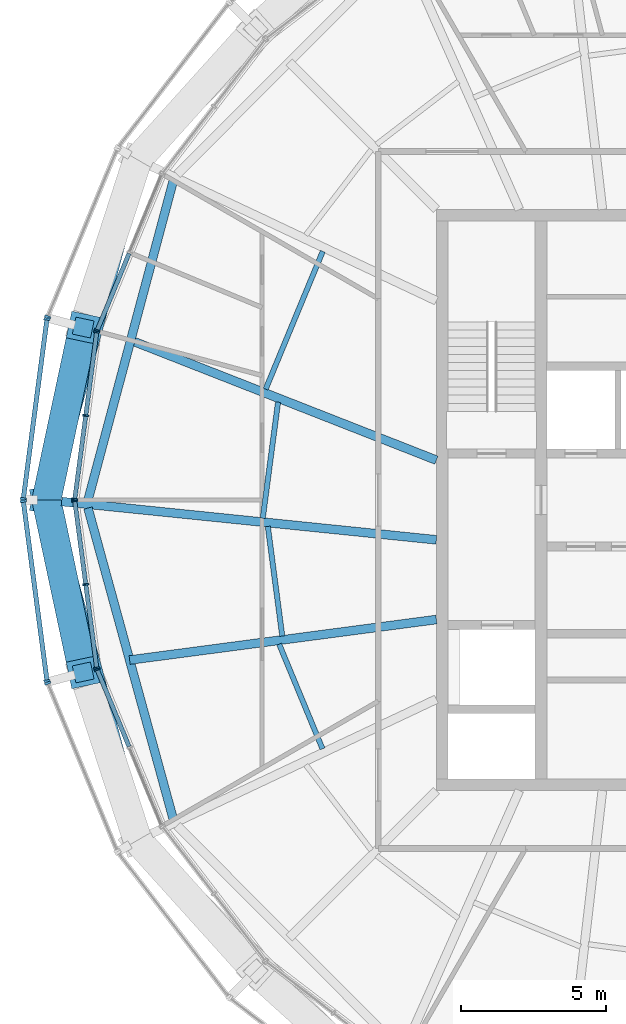
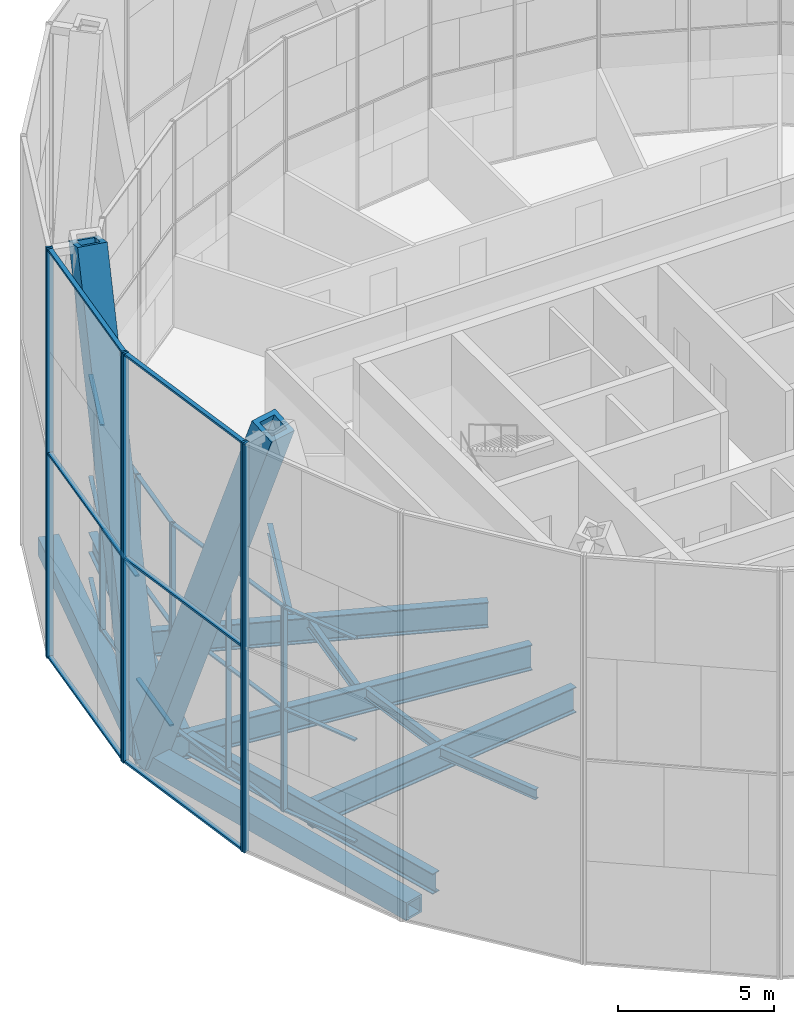
# One storey, part 3 of 22: 40 members, 11 beams, 8 elements without a shape of their own.
"""IFC4 building model written with IfcOpenShell, lengths in metres."""

import ifcopenshell
import ifcopenshell.guid

model = None  # the IFC model being written
_history = None  # IfcOwnerHistory: only IFC2X3 demands one
_inside = {}  # id of a spatial element -> (the spatial element, [elements in it])
_under = {}  # id of a project, library or spatial element -> (it, [spatial elements below it])
_declared = {}  # id of a project -> (the project, [libraries it declares])
_typed = {}  # id of a type object -> (the type object, [elements of that type])
_made_of = {}  # id of a material, layer set ... -> (it, [elements and type objects made of it])


def new_model(schema):
    """Start an empty IFC model of exactly this schema.

    Asked for "IFC4X3", IfcOpenShell would pick the latest addendum, in which some entities
    have other attributes; the version numbers below select the first issue.
    IFC2X3 requires an IfcOwnerHistory on every rooted entity: one is made here for all.
    """
    global model, _history
    if schema == "IFC4X3":
        model = ifcopenshell.file(schema_version=(4, 3, 0, 0))
    else:
        model = ifcopenshell.file(schema=schema)
    _inside.clear()
    _under.clear()
    _declared.clear()
    _typed.clear()
    _made_of.clear()
    _history = None
    if model.schema == "IFC2X3":
        org = make("IfcOrganization", Name="unknown")
        user = make(
            "IfcPersonAndOrganization",
            ThePerson=make("IfcPerson", FamilyName="unknown"),
            TheOrganization=org,
        )
        app = make(
            "IfcApplication",
            ApplicationDeveloper=org,
            Version="unknown",
            ApplicationFullName="unknown",
            ApplicationIdentifier="unknown",
        )
        _history = make(
            "IfcOwnerHistory",
            OwningUser=user,
            OwningApplication=app,
            ChangeAction="ADDED",
            CreationDate=0,
        )
    return model


def make(cls, **values):
    """One entity of the class cls with the attributes given. An attribute that is None is left unset."""
    return model.create_entity(
        cls, **{name: value for name, value in values.items() if value is not None}
    )


def rooted(cls, **values):
    """An entity with a GlobalId (a new one), such as an element, a storey or a relation."""
    return make(cls, GlobalId=ifcopenshell.guid.new(), OwnerHistory=_history, **values)


def si_unit(unit_type, name, prefix=None):
    """IfcSIUnit, for example si_unit("LENGTHUNIT", "METRE", prefix="MILLI")."""
    return make("IfcSIUnit", UnitType=unit_type, Prefix=prefix, Name=name)


def assignment(units):
    """IfcUnitAssignment: the units of a project."""
    return None if units is None else make("IfcUnitAssignment", Units=units)


def point(xyz):
    """IfcCartesianPoint."""
    return None if xyz is None else make("IfcCartesianPoint", Coordinates=xyz)


def direction(xyz):
    """IfcDirection."""
    return None if xyz is None else make("IfcDirection", DirectionRatios=xyz)


def frame(location, z_axis=None, x_axis=None):
    """IfcAxis2Placement3D, a coordinate frame: its origin and axes. An axis left out is left unset."""
    return make(
        "IfcAxis2Placement3D",
        Location=point(location),
        Axis=direction(z_axis),
        RefDirection=direction(x_axis),
    )


def frame_2d(location, x_axis=None):
    """IfcAxis2Placement2D, a coordinate frame in the plane: its origin and x axis."""
    return make(
        "IfcAxis2Placement2D", Location=point(location), RefDirection=direction(x_axis)
    )


def origin():
    """The frame at (0, 0, 0) with its axes left unset."""
    return frame((0.0, 0.0, 0.0))


def origin_2d():
    """The frame at (0, 0) in the plane with its x axis left unset."""
    return frame_2d((0.0, 0.0))


def place(relative_to, where):
    """IfcLocalPlacement: puts the frame where relative to a parent placement (None: the world)."""
    return make(
        "IfcLocalPlacement", PlacementRelTo=relative_to, RelativePlacement=where
    )


def context(
    kind, dimensions, precision=None, world=None, true_north=None, identifier=None
):
    """IfcGeometricRepresentationContext, for example the 3D "Model" context."""
    return make(
        "IfcGeometricRepresentationContext",
        ContextIdentifier=identifier,
        ContextType=kind,
        CoordinateSpaceDimension=dimensions,
        Precision=precision,
        WorldCoordinateSystem=world,
        TrueNorth=true_north,
    )


def subcontext(parent, identifier, kind, view, scale=None):
    """IfcGeometricRepresentationSubContext, for example "Body" below "Model"."""
    return make(
        "IfcGeometricRepresentationSubContext",
        ContextIdentifier=identifier,
        ContextType=kind,
        ParentContext=parent,
        TargetScale=scale,
        TargetView=view,
    )


def project(units=None, contexts=None):
    """IfcProject with its units and contexts."""
    return rooted(
        "IfcProject",
        Name="project",
        RepresentationContexts=contexts,
        UnitsInContext=assignment(units),
    )


def spatial(cls, under=None, at=None, **own):
    """A site, building, storey or space (cls), placed at a placement, below another one or the project."""
    s = rooted(cls, ObjectPlacement=at, **own)
    if under is not None:
        _under.setdefault(under.id(), (under, []))[1].append(s)
    return s


def profile(cls, at=None, kind="AREA", **sizes):
    """A parametric profile (cls). Its sizes go by their IFC names, for example OverallWidth=200.0."""
    return make(cls, ProfileType=kind, Position=at, **sizes)


def rectangle(**sizes):
    """IfcRectangleProfileDef."""
    return profile("IfcRectangleProfileDef", **sizes)


def hollow_rectangle(**sizes):
    """IfcRectangleHollowProfileDef."""
    return profile("IfcRectangleHollowProfileDef", **sizes)


def i_section(**sizes):
    """IfcIShapeProfileDef."""
    return profile("IfcIShapeProfileDef", **sizes)


def extrude(swept, where, along, depth):
    """IfcExtrudedAreaSolid: the profile swept, set in the frame where, extruded along a direction by depth."""
    return make(
        "IfcExtrudedAreaSolid",
        SweptArea=swept,
        Position=where,
        ExtrudedDirection=direction(along),
        Depth=depth,
    )


def shape(context_of_items, identifier, shape_type, items):
    """IfcShapeRepresentation: the items that make up one representation, for example the "Body"."""
    return make(
        "IfcShapeRepresentation",
        ContextOfItems=context_of_items,
        RepresentationIdentifier=identifier,
        RepresentationType=shape_type,
        Items=items,
    )


def material(Name=None, Category=None):
    """IfcMaterial."""
    return make("IfcMaterial", Name=Name, Category=Category)


def material_profile(
    of_material, cross_section, Name=None, Category=None, Priority=None
):
    """IfcMaterialProfile: a cross section and its material."""
    return make(
        "IfcMaterialProfile",
        Name=Name,
        Material=of_material,
        Profile=cross_section,
        Priority=Priority,
        Category=Category,
    )


def profile_set(profiles, Name=None, composite=None):
    """IfcMaterialProfileSet."""
    return make(
        "IfcMaterialProfileSet",
        Name=Name,
        MaterialProfiles=profiles,
        CompositeProfile=composite,
    )


def made_of(thing, what):
    """Note that an element or type object is made of a material, layer set ...; save() writes the relation."""
    if what is not None:
        _made_of.setdefault(what.id(), (what, []))[1].append(thing)
    return thing


def type_object(cls, material=None, **own):
    """A type object (cls), such as IfcWallType, which elements share."""
    return made_of(rooted(cls, **own), material)


def element(
    cls,
    number,
    at=None,
    inside=None,
    cuts=None,
    type_object=None,
    material=None,
    context=None,
    identifier="Body",
    shape_type=None,
    held_by="IfcProductDefinitionShape",
    body=None,
    shapes=None,
    **own,
):
    """One element of the class cls, such as IfcWall. Its Tag is "e" and its number.

    at: its placement. inside: the storey or other place that contains it. cuts: it is an
    opening in that element (IfcRelVoidsElement). A single representation is given by context,
    identifier, shape_type and body (its items); several are given by shapes. held_by: the class
    of the entity that holds the representations. save() writes the other relations.
    """
    e = rooted(cls, Tag="e%d" % number, ObjectPlacement=at, **own)
    if body is not None:
        shapes = [shape(context, identifier, shape_type, body)]
    if shapes is not None:
        e.Representation = make(held_by, Representations=shapes)
    if inside is not None:
        _inside.setdefault(inside.id(), (inside, []))[1].append(e)
    if cuts is not None:
        rooted(
            "IfcRelVoidsElement", RelatingBuildingElement=cuts, RelatedOpeningElement=e
        )
    if type_object is not None:
        _typed.setdefault(type_object.id(), (type_object, []))[1].append(e)
    return made_of(e, material)


def aggregate(whole, parts):
    """IfcRelAggregates: a whole, such as a stair, and the parts it consists of."""
    return rooted("IfcRelAggregates", RelatingObject=whole, RelatedObjects=parts)


def save(model, path):
    """Write the relations noted so far, then the file.

    IfcRelAggregates (storeys below a building ...), IfcRelContainedInSpatialStructure (elements
    in a storey), IfcRelDefinesByType, IfcRelAssociatesMaterial and IfcRelDeclares: one each for
    every whole, place, type object, material and project.
    """
    for whole, parts in _under.values():
        aggregate(whole, parts)
    for where, things in _inside.values():
        rooted(
            "IfcRelContainedInSpatialStructure",
            RelatedElements=things,
            RelatingStructure=where,
        )
    for kind, things in _typed.values():
        rooted("IfcRelDefinesByType", RelatedObjects=things, RelatingType=kind)
    for what, things in _made_of.values():
        rooted("IfcRelAssociatesMaterial", RelatedObjects=things, RelatingMaterial=what)
    for by, libraries in _declared.values():
        rooted("IfcRelDeclares", RelatingContext=by, RelatedDefinitions=libraries)
    model.write(path)


model = new_model("IFC4")

# Units and contexts
model_context = context("Model", 3, precision=1e-05, world=origin(), true_north=direction((0.0, 1.0)))
body_context = subcontext(model_context, "Body", "Model", "MODEL_VIEW")
ifc_project = project(units=[si_unit("LENGTHUNIT", "METRE"), si_unit("AREAUNIT", "SQUARE_METRE"), si_unit("VOLUMEUNIT", "CUBIC_METRE"), si_unit("PLANEANGLEUNIT", "RADIAN"), si_unit("MASSUNIT", "GRAM", prefix="KILO")], contexts=[model_context])

# Site, building, storey
site_placement = place(None, origin())
site = spatial("IfcSite", under=ifc_project, at=site_placement, CompositionType="ELEMENT")
building_placement = place(site_placement, origin())
building = spatial("IfcBuilding", under=site, at=building_placement, Name="Golbaran Civic Tower", CompositionType="ELEMENT")
storey_placement = place(building_placement, frame((0.0, 0.0, 248.0)))
storey = spatial("IfcBuildingStorey", under=building, at=storey_placement, Name="L60", CompositionType="ELEMENT", Elevation=248.0)

# Members
ifc_material_1 = material(Name="Steel S355", Category="steel")
ifc_material_profile_1 = material_profile(ifc_material_1, hollow_rectangle(XDim=1.0, YDim=1.0, WallThickness=0.179931640625, at=origin_2d()), Name="BOX 1000x1000x180")
ifc_profile_set_1 = profile_set([ifc_material_profile_1], Name="Steel S355")
member_type_1 = type_object("IfcMemberType", Name="DIAGRID DIAGONAL BOX 1000x1000x180", PredefinedType="BRACE", material=ifc_profile_set_1)
for number, where, z_axis, x_axis, name in (
    (1, (-23.423095703125, 0.0, -0.7099609375), (0.07401466611, -0.346918780994, 0.934970153852), (0.977989772584, 0.208652833004, 0.0), "Diagonal D14-06R L60-L64"),
    (2, (-23.423095703125, 0.0, -0.7099609375), (0.07401466611, 0.346918780994, 0.934970153852), (-0.977989772584, 0.208652833004, 0.0), "Diagonal D14-06L L60-L64"),
):
    element("IfcMember", number, at=place(storey_placement, frame(where, z_axis=z_axis, x_axis=x_axis)), inside=storey, type_object=member_type_1, Name=name, PredefinedType="BRACE", context=body_context, shape_type="SweptSolid", body=[
        extrude(hollow_rectangle(XDim=1.0, YDim=1.0, WallThickness=0.179931640625, at=origin_2d()), origin(), (0.0, 0.0, 1.0), 17.11279296875),
    ])

# Beams
ifc_material_profile_2 = material_profile(ifc_material_1, hollow_rectangle(XDim=0.699951171875, YDim=0.699951171875, WallThickness=0.080078125, at=origin_2d()), Name="BOX 700x700x80")
ifc_profile_set_2 = profile_set([ifc_material_profile_2], Name="Steel S355")
beam_type_1 = type_object("IfcBeamType", Name="DIAGRID RING TIE BOX 700x700x80", PredefinedType="BEAM", material=ifc_profile_set_2)
for number, where, z_axis, x_axis, name in (
    (3, (-20.284912109375, 11.71142578125, -0.7099609375), (-0.258828011046, -0.965923423827, 0.0), (0.965923423827, -0.258828011046, 0.0), "Ring tie 150.00 L60"),
    (4, (-23.423095703125, 0.0, -0.7099609375), (0.258828011046, -0.965923423827, 0.0), (0.965923423827, 0.258828011046, 0.0), "Ring tie 180.00 L60"),
):
    element("IfcBeam", number, at=place(storey_placement, frame(where, z_axis=z_axis, x_axis=x_axis)), inside=storey, type_object=beam_type_1, Name=name, PredefinedType="BEAM", context=body_context, shape_type="SweptSolid", body=[
        extrude(hollow_rectangle(XDim=0.699951171875, YDim=0.699951171875, WallThickness=0.080078125, at=origin_2d()), origin(), (0.0, 0.0, 1.0), 12.12451171875),
    ])
ifc_material_profile_3 = material_profile(ifc_material_1, i_section(OverallWidth=0.300048828125, OverallDepth=0.800048828125, WebThickness=0.017578125, FlangeThickness=0.032958984375, FilletRadius=0.030029296875, at=origin_2d()), Name="HEB 800")
ifc_profile_set_3 = profile_set([ifc_material_profile_3], Name="Steel S355")
beam_type_2 = type_object("IfcBeamType", Name="EDGE BEAM HEB 800", PredefinedType="BEAM", material=ifc_profile_set_3)
beam_1_placement = place(storey_placement, frame((-19.0546875, 10.987060546875, -0.60009765625), z_axis=(-0.258216339749, -0.966087119201, 0.0), x_axis=(0.966087119201, -0.258216339749, 0.0)))
element("IfcBeam", 5, at=beam_1_placement, inside=storey, type_object=beam_type_2, Name="Edge beam 150.00 L60", PredefinedType="BEAM", context=body_context, shape_type="SweptSolid", body=[
    extrude(i_section(OverallWidth=0.300048828125, OverallDepth=0.800048828125, WebThickness=0.017578125, FlangeThickness=0.032958984375, FilletRadius=0.030029296875, at=origin_2d()), origin(), (0.0, 0.0, 1.0), 11.388427734375),
])
beam_2_placement = place(storey_placement, frame((-21.99267578125, -0.27685546875, -0.60009765625), z_axis=(0.264471267645, -0.964393565195, 0.0), x_axis=(0.964393565195, 0.264471267645, 0.0)))
element("IfcBeam", 6, at=beam_2_placement, inside=storey, type_object=beam_type_2, Name="Edge beam 180.00 L60", PredefinedType="BEAM", context=body_context, shape_type="SweptSolid", body=[
    extrude(i_section(OverallWidth=0.300048828125, OverallDepth=0.800048828125, WebThickness=0.017578125, FlangeThickness=0.032958984375, FilletRadius=0.030029296875, at=origin_2d()), origin(), (0.0, 0.0, 1.0), 11.106201171875),
])
ifc_material_profile_4 = material_profile(ifc_material_1, i_section(OverallWidth=0.179931640625, OverallDepth=0.39990234375, WebThickness=0.008544921875, FlangeThickness=0.013427734375, FilletRadius=0.02099609375, at=origin_2d()), Name="IPE 400")
ifc_profile_set_4 = profile_set([ifc_material_profile_4], Name="Steel S355")
beam_type_3 = type_object("IfcBeamType", Name="FLOOR INFILL BEAM IPE 400", PredefinedType="BEAM", material=ifc_profile_set_4)
beam_3_placement = place(storey_placement, frame((-13.91064453125, 8.55908203125, -0.39990234375), z_axis=(-0.382710176981, -0.923868454075, 0.0), x_axis=(0.923868454075, -0.382710176981, 0.0)))
element("IfcBeam", 7, at=beam_3_placement, inside=storey, type_object=beam_type_3, Name="Infill beam 157.50 L60", PredefinedType="BEAM", context=body_context, shape_type="SweptSolid", body=[
    extrude(i_section(OverallWidth=0.179931640625, OverallDepth=0.39990234375, WebThickness=0.008544921875, FlangeThickness=0.013427734375, FilletRadius=0.02099609375, at=origin_2d()), origin(), (0.0, 0.0, 1.0), 5.134033203125),
])
beam_4_placement = place(storey_placement, frame((-15.44921875, 3.369384765625, -0.39990234375), z_axis=(-0.130482692355, -0.991450587269, 0.0), x_axis=(0.991450587269, -0.130482692355, 0.0)))
element("IfcBeam", 8, at=beam_4_placement, inside=storey, type_object=beam_type_3, Name="Infill beam 172.50 L60", PredefinedType="BEAM", context=body_context, shape_type="SweptSolid", body=[
    extrude(i_section(OverallWidth=0.179931640625, OverallDepth=0.39990234375, WebThickness=0.008544921875, FlangeThickness=0.013427734375, FilletRadius=0.02099609375, at=origin_2d()), origin(), (0.0, 0.0, 1.0), 4.033935546875),
])
beam_5_placement = place(storey_placement, frame((-15.80126953125, -0.909423828125, -0.39990234375), z_axis=(0.130512577798, -0.991446653651, 0.0), x_axis=(0.991446653651, 0.130512577798, 0.0)))
element("IfcBeam", 9, at=beam_5_placement, inside=storey, type_object=beam_type_3, Name="Infill beam 187.50 L60", PredefinedType="BEAM", context=body_context, shape_type="SweptSolid", body=[
    extrude(i_section(OverallWidth=0.179931640625, OverallDepth=0.39990234375, WebThickness=0.008544921875, FlangeThickness=0.013427734375, FilletRadius=0.02099609375, at=origin_2d()), origin(), (0.0, 0.0, 1.0), 3.806640625),
])
beam_6_placement = place(storey_placement, frame((-15.412109375, -4.960205078125, -0.39990234375), z_axis=(0.382663237128, -0.923887897394, 0.0), x_axis=(0.923887897394, 0.382663237128, 0.0)))
element("IfcBeam", 10, at=beam_6_placement, inside=storey, type_object=beam_type_3, Name="Infill beam 202.50 L60", PredefinedType="BEAM", context=body_context, shape_type="SweptSolid", body=[
    extrude(i_section(OverallWidth=0.179931640625, OverallDepth=0.39990234375, WebThickness=0.008544921875, FlangeThickness=0.013427734375, FilletRadius=0.02099609375, at=origin_2d()), origin(), (0.0, 0.0, 1.0), 3.900146484375),
])

# Curtain wall, member
ifc_material_2 = material(Name="Aluminium and glass", Category="aluminium")
curtain_wall_type_1 = type_object("IfcCurtainWallType", Name="INNER SKIN CURTAIN WALL EXECUTIVE", PredefinedType="NOTDEFINED", material=ifc_material_2)
curtain_wall_1_placement = place(storey_placement, origin())
curtain_wall_1 = element("IfcCurtainWall", 11, at=curtain_wall_1_placement, inside=storey, type_object=curtain_wall_type_1, Name="Inner skin L60 facet 11 CW2", ObjectType="INNER SKIN", PredefinedType="USERDEFINED")
ifc_material_3 = material(Name="Aluminium", Category="aluminium")
ifc_material_profile_5 = material_profile(ifc_material_3, rectangle(XDim=0.199951171875, YDim=0.06005859375, at=origin_2d()), Name="INNER SKIN CURTAIN WALL EXECUTIVE MULLION")
ifc_profile_set_5 = profile_set([ifc_material_profile_5], Name="Aluminium")
member_type_2 = type_object("IfcMemberType", Name="INNER SKIN CURTAIN WALL EXECUTIVE MULLION", PredefinedType="MULLION", material=ifc_profile_set_5)
member_1_placement = place(storey_placement, frame((-21.675537109375, 5.838623046875, 0.0), z_axis=(0.0, 0.0, 1.0), x_axis=(0.923879532505, -0.382683432381, 0.0)))
member_1 = element("IfcMember", 12, at=member_1_placement, type_object=member_type_2, Name="CW2 mullion 3", PredefinedType="MULLION", context=body_context, shape_type="SweptSolid", body=[
    extrude(rectangle(XDim=0.199951171875, YDim=0.06005859375, at=origin_2d()), origin(), (0.0, 0.0, 1.0), 8.0),
])

# Curtain wall, members
curtain_wall_2_placement = place(storey_placement, origin())
curtain_wall_2 = element("IfcCurtainWall", 13, at=curtain_wall_2_placement, inside=storey, type_object=curtain_wall_type_1, Name="Inner skin L60 facet 12 CW2", ObjectType="INNER SKIN", PredefinedType="USERDEFINED")
member_2_placement = place(storey_placement, frame((-21.69091796875, 5.78125, 0.0), z_axis=(0.0, 0.0, 1.0), x_axis=(0.991444861378, -0.130526192185, 0.0)))
member_2 = element("IfcMember", 14, at=member_2_placement, type_object=member_type_2, Name="CW2 mullion 1", PredefinedType="MULLION", context=body_context, shape_type="SweptSolid", body=[
    extrude(rectangle(XDim=0.199951171875, YDim=0.06005859375, at=origin_2d()), origin(), (0.0, 0.0, 1.0), 8.0),
])
member_3_placement = place(storey_placement, frame((-22.069580078125, 2.905517578125, 0.0), z_axis=(0.0, 0.0, 1.0), x_axis=(0.991444861378, -0.130526192185, 0.0)))
member_3 = element("IfcMember", 15, at=member_3_placement, type_object=member_type_2, Name="CW2 mullion 2", PredefinedType="MULLION", context=body_context, shape_type="SweptSolid", body=[
    extrude(rectangle(XDim=0.199951171875, YDim=0.06005859375, at=origin_2d()), origin(), (0.0, 0.0, 1.0), 8.0),
])
member_4_placement = place(storey_placement, frame((-22.447998046875, 0.02978515625, 0.0), z_axis=(0.0, 0.0, 1.0), x_axis=(0.991444861378, -0.130526192185, 0.0)))
member_4 = element("IfcMember", 16, at=member_4_placement, type_object=member_type_2, Name="CW2 mullion 3", PredefinedType="MULLION", context=body_context, shape_type="SweptSolid", body=[
    extrude(rectangle(XDim=0.199951171875, YDim=0.06005859375, at=origin_2d()), origin(), (0.0, 0.0, 1.0), 8.0),
])

curtain_wall_3_placement = place(storey_placement, origin())
curtain_wall_3 = element("IfcCurtainWall", 17, at=curtain_wall_3_placement, inside=storey, type_object=curtain_wall_type_1, Name="Inner skin L60 facet 13 CW2", ObjectType="INNER SKIN", PredefinedType="USERDEFINED")
member_5_placement = place(storey_placement, frame((-22.447998046875, -0.02978515625, 0.0), z_axis=(0.0, 0.0, 1.0), x_axis=(0.991444861378, 0.130526192185, 0.0)))
member_5 = element("IfcMember", 18, at=member_5_placement, type_object=member_type_2, Name="CW2 mullion 1", PredefinedType="MULLION", context=body_context, shape_type="SweptSolid", body=[
    extrude(rectangle(XDim=0.199951171875, YDim=0.06005859375, at=origin_2d()), origin(), (0.0, 0.0, 1.0), 8.0),
])
member_6_placement = place(storey_placement, frame((-22.069580078125, -2.905517578125, 0.0), z_axis=(0.0, 0.0, 1.0), x_axis=(0.991444861378, 0.130526192185, 0.0)))
member_6 = element("IfcMember", 19, at=member_6_placement, type_object=member_type_2, Name="CW2 mullion 2", PredefinedType="MULLION", context=body_context, shape_type="SweptSolid", body=[
    extrude(rectangle(XDim=0.199951171875, YDim=0.06005859375, at=origin_2d()), origin(), (0.0, 0.0, 1.0), 8.0),
])
member_7_placement = place(storey_placement, frame((-21.69091796875, -5.78125, 0.0), z_axis=(0.0, 0.0, 1.0), x_axis=(0.991444861378, 0.130526192185, 0.0)))
member_7 = element("IfcMember", 20, at=member_7_placement, type_object=member_type_2, Name="CW2 mullion 3", PredefinedType="MULLION", context=body_context, shape_type="SweptSolid", body=[
    extrude(rectangle(XDim=0.199951171875, YDim=0.06005859375, at=origin_2d()), origin(), (0.0, 0.0, 1.0), 8.0),
])

# Curtain wall, member
curtain_wall_4_placement = place(storey_placement, origin())
curtain_wall_4 = element("IfcCurtainWall", 21, at=curtain_wall_4_placement, inside=storey, type_object=curtain_wall_type_1, Name="Inner skin L60 facet 14 CW2", ObjectType="INNER SKIN", PredefinedType="USERDEFINED")
member_8_placement = place(storey_placement, frame((-21.675537109375, -5.838623046875, 0.0), z_axis=(0.0, 0.0, 1.0), x_axis=(0.923879532505, 0.382683432381, 0.0)))
member_8 = element("IfcMember", 22, at=member_8_placement, type_object=member_type_2, Name="CW2 mullion 1", PredefinedType="MULLION", context=body_context, shape_type="SweptSolid", body=[
    extrude(rectangle(XDim=0.199951171875, YDim=0.06005859375, at=origin_2d()), origin(), (0.0, 0.0, 1.0), 8.0),
])

# Member
ifc_material_profile_6 = material_profile(ifc_material_3, rectangle(XDim=0.14990234375, YDim=0.06005859375, at=origin_2d()), Name="INNER SKIN CURTAIN WALL EXECUTIVE TRANSOM")
ifc_profile_set_6 = profile_set([ifc_material_profile_6], Name="Aluminium")
member_type_3 = type_object("IfcMemberType", Name="INNER SKIN CURTAIN WALL EXECUTIVE TRANSOM", PredefinedType="USERDEFINED", material=ifc_profile_set_6)
member_9_placement = place(storey_placement, frame((-20.576904296875, 8.49072265625, 0.030029296875), z_axis=(-0.382728800078, -0.923860739284, 0.0), x_axis=(0.923860739284, -0.382728800078, 0.0)))
member_9 = element("IfcMember", 23, at=member_9_placement, type_object=member_type_3, Name="CW2 transom 2.1", ObjectType="TRANSOM", PredefinedType="USERDEFINED", context=body_context, shape_type="SweptSolid", body=[
    extrude(rectangle(XDim=0.14990234375, YDim=0.06005859375, at=origin_2d()), origin(), (0.0, 0.0, 1.0), 2.840576171875),
])

member_10_placement = place(storey_placement, frame((-20.576904296875, 8.49072265625, 4.0), z_axis=(-0.382728800078, -0.923860739284, 0.0), x_axis=(0.923860739284, -0.382728800078, 0.0)))
member_10 = element("IfcMember", 24, at=member_10_placement, type_object=member_type_3, Name="CW2 transom 2.2", ObjectType="TRANSOM", PredefinedType="USERDEFINED", context=body_context, shape_type="SweptSolid", body=[
    extrude(rectangle(XDim=0.14990234375, YDim=0.06005859375, at=origin_2d()), origin(), (0.0, 0.0, 1.0), 2.840576171875),
])

member_11_placement = place(storey_placement, frame((-20.576904296875, 8.49072265625, 7.969970703125), z_axis=(-0.382728800078, -0.923860739284, 0.0), x_axis=(0.923860739284, -0.382728800078, 0.0)))
member_11 = element("IfcMember", 25, at=member_11_placement, type_object=member_type_3, Name="CW2 transom 2.3", ObjectType="TRANSOM", PredefinedType="USERDEFINED", context=body_context, shape_type="SweptSolid", body=[
    extrude(rectangle(XDim=0.14990234375, YDim=0.06005859375, at=origin_2d()), origin(), (0.0, 0.0, 1.0), 2.840576171875),
])

aggregate(curtain_wall_1, [member_1, member_9, member_10, member_11])

member_12_placement = place(storey_placement, frame((-21.69482421875, 5.75146484375, 0.030029296875), z_axis=(-0.130559010028, -0.991440540275, 0.0), x_axis=(0.991440540275, -0.130559010028, 0.0)))
member_12 = element("IfcMember", 26, at=member_12_placement, type_object=member_type_3, Name="CW2 transom 1.1", ObjectType="TRANSOM", PredefinedType="USERDEFINED", context=body_context, shape_type="SweptSolid", body=[
    extrude(rectangle(XDim=0.14990234375, YDim=0.06005859375, at=origin_2d()), origin(), (0.0, 0.0, 1.0), 2.840576171875),
])

member_13_placement = place(storey_placement, frame((-21.69482421875, 5.75146484375, 4.0), z_axis=(-0.130559010028, -0.991440540275, 0.0), x_axis=(0.991440540275, -0.130559010028, 0.0)))
member_13 = element("IfcMember", 27, at=member_13_placement, type_object=member_type_3, Name="CW2 transom 1.2", ObjectType="TRANSOM", PredefinedType="USERDEFINED", context=body_context, shape_type="SweptSolid", body=[
    extrude(rectangle(XDim=0.14990234375, YDim=0.06005859375, at=origin_2d()), origin(), (0.0, 0.0, 1.0), 2.840576171875),
])

member_14_placement = place(storey_placement, frame((-21.69482421875, 5.75146484375, 7.969970703125), z_axis=(-0.130559010028, -0.991440540275, 0.0), x_axis=(0.991440540275, -0.130559010028, 0.0)))
member_14 = element("IfcMember", 28, at=member_14_placement, type_object=member_type_3, Name="CW2 transom 1.3", ObjectType="TRANSOM", PredefinedType="USERDEFINED", context=body_context, shape_type="SweptSolid", body=[
    extrude(rectangle(XDim=0.14990234375, YDim=0.06005859375, at=origin_2d()), origin(), (0.0, 0.0, 1.0), 2.840576171875),
])

member_15_placement = place(storey_placement, frame((-22.073486328125, 2.875732421875, 0.030029296875), z_axis=(-0.130474523059, -0.991451662378, 0.0), x_axis=(0.991451662378, -0.130474523059, 0.0)))
member_15 = element("IfcMember", 29, at=member_15_placement, type_object=member_type_3, Name="CW2 transom 2.1", ObjectType="TRANSOM", PredefinedType="USERDEFINED", context=body_context, shape_type="SweptSolid", body=[
    extrude(rectangle(XDim=0.14990234375, YDim=0.06005859375, at=origin_2d()), origin(), (0.0, 0.0, 1.0), 2.84033203125),
])

member_16_placement = place(storey_placement, frame((-22.073486328125, 2.875732421875, 4.0), z_axis=(-0.130474523059, -0.991451662378, 0.0), x_axis=(0.991451662378, -0.130474523059, 0.0)))
member_16 = element("IfcMember", 30, at=member_16_placement, type_object=member_type_3, Name="CW2 transom 2.2", ObjectType="TRANSOM", PredefinedType="USERDEFINED", context=body_context, shape_type="SweptSolid", body=[
    extrude(rectangle(XDim=0.14990234375, YDim=0.06005859375, at=origin_2d()), origin(), (0.0, 0.0, 1.0), 2.84033203125),
])

member_17_placement = place(storey_placement, frame((-22.073486328125, 2.875732421875, 7.969970703125), z_axis=(-0.130474523059, -0.991451662378, 0.0), x_axis=(0.991451662378, -0.130474523059, 0.0)))
member_17 = element("IfcMember", 31, at=member_17_placement, type_object=member_type_3, Name="CW2 transom 2.3", ObjectType="TRANSOM", PredefinedType="USERDEFINED", context=body_context, shape_type="SweptSolid", body=[
    extrude(rectangle(XDim=0.14990234375, YDim=0.06005859375, at=origin_2d()), origin(), (0.0, 0.0, 1.0), 2.84033203125),
])

aggregate(curtain_wall_2, [member_2, member_3, member_4, member_12, member_13, member_14, member_15, member_16, member_17])

member_18_placement = place(storey_placement, frame((-22.444091796875, -0.0595703125, 0.030029296875), z_axis=(0.130474523059, -0.991451662378, 0.0), x_axis=(0.991451662378, 0.130474523059, 0.0)))
member_18 = element("IfcMember", 32, at=member_18_placement, type_object=member_type_3, Name="CW2 transom 1.1", ObjectType="TRANSOM", PredefinedType="USERDEFINED", context=body_context, shape_type="SweptSolid", body=[
    extrude(rectangle(XDim=0.14990234375, YDim=0.06005859375, at=origin_2d()), origin(), (0.0, 0.0, 1.0), 2.84033203125),
])

member_19_placement = place(storey_placement, frame((-22.444091796875, -0.0595703125, 4.0), z_axis=(0.130474523059, -0.991451662378, 0.0), x_axis=(0.991451662378, 0.130474523059, 0.0)))
member_19 = element("IfcMember", 33, at=member_19_placement, type_object=member_type_3, Name="CW2 transom 1.2", ObjectType="TRANSOM", PredefinedType="USERDEFINED", context=body_context, shape_type="SweptSolid", body=[
    extrude(rectangle(XDim=0.14990234375, YDim=0.06005859375, at=origin_2d()), origin(), (0.0, 0.0, 1.0), 2.84033203125),
])

member_20_placement = place(storey_placement, frame((-22.444091796875, -0.0595703125, 7.969970703125), z_axis=(0.130474523059, -0.991451662378, 0.0), x_axis=(0.991451662378, 0.130474523059, 0.0)))
member_20 = element("IfcMember", 34, at=member_20_placement, type_object=member_type_3, Name="CW2 transom 1.3", ObjectType="TRANSOM", PredefinedType="USERDEFINED", context=body_context, shape_type="SweptSolid", body=[
    extrude(rectangle(XDim=0.14990234375, YDim=0.06005859375, at=origin_2d()), origin(), (0.0, 0.0, 1.0), 2.84033203125),
])

member_21_placement = place(storey_placement, frame((-22.065673828125, -2.935302734375, 0.030029296875), z_axis=(0.130559010028, -0.991440540275, 0.0), x_axis=(0.991440540275, 0.130559010028, 0.0)))
member_21 = element("IfcMember", 35, at=member_21_placement, type_object=member_type_3, Name="CW2 transom 2.1", ObjectType="TRANSOM", PredefinedType="USERDEFINED", context=body_context, shape_type="SweptSolid", body=[
    extrude(rectangle(XDim=0.14990234375, YDim=0.06005859375, at=origin_2d()), origin(), (0.0, 0.0, 1.0), 2.840576171875),
])

member_22_placement = place(storey_placement, frame((-22.065673828125, -2.935302734375, 4.0), z_axis=(0.130559010028, -0.991440540275, 0.0), x_axis=(0.991440540275, 0.130559010028, 0.0)))
member_22 = element("IfcMember", 36, at=member_22_placement, type_object=member_type_3, Name="CW2 transom 2.2", ObjectType="TRANSOM", PredefinedType="USERDEFINED", context=body_context, shape_type="SweptSolid", body=[
    extrude(rectangle(XDim=0.14990234375, YDim=0.06005859375, at=origin_2d()), origin(), (0.0, 0.0, 1.0), 2.840576171875),
])

member_23_placement = place(storey_placement, frame((-22.065673828125, -2.935302734375, 7.969970703125), z_axis=(0.130559010028, -0.991440540275, 0.0), x_axis=(0.991440540275, 0.130559010028, 0.0)))
member_23 = element("IfcMember", 37, at=member_23_placement, type_object=member_type_3, Name="CW2 transom 2.3", ObjectType="TRANSOM", PredefinedType="USERDEFINED", context=body_context, shape_type="SweptSolid", body=[
    extrude(rectangle(XDim=0.14990234375, YDim=0.06005859375, at=origin_2d()), origin(), (0.0, 0.0, 1.0), 2.840576171875),
])

aggregate(curtain_wall_3, [member_5, member_6, member_7, member_18, member_19, member_20, member_21, member_22, member_23])

member_24_placement = place(storey_placement, frame((-21.6640625, -5.866455078125, 0.030029296875), z_axis=(0.382728800078, -0.923860739284, 0.0), x_axis=(0.923860739284, 0.382728800078, 0.0)))
member_24 = element("IfcMember", 38, at=member_24_placement, type_object=member_type_3, Name="CW2 transom 1.1", ObjectType="TRANSOM", PredefinedType="USERDEFINED", context=body_context, shape_type="SweptSolid", body=[
    extrude(rectangle(XDim=0.14990234375, YDim=0.06005859375, at=origin_2d()), origin(), (0.0, 0.0, 1.0), 2.840576171875),
])

member_25_placement = place(storey_placement, frame((-21.6640625, -5.866455078125, 4.0), z_axis=(0.382728800078, -0.923860739284, 0.0), x_axis=(0.923860739284, 0.382728800078, 0.0)))
member_25 = element("IfcMember", 39, at=member_25_placement, type_object=member_type_3, Name="CW2 transom 1.2", ObjectType="TRANSOM", PredefinedType="USERDEFINED", context=body_context, shape_type="SweptSolid", body=[
    extrude(rectangle(XDim=0.14990234375, YDim=0.06005859375, at=origin_2d()), origin(), (0.0, 0.0, 1.0), 2.840576171875),
])

member_26_placement = place(storey_placement, frame((-21.6640625, -5.866455078125, 7.969970703125), z_axis=(0.382728800078, -0.923860739284, 0.0), x_axis=(0.923860739284, 0.382728800078, 0.0)))
member_26 = element("IfcMember", 40, at=member_26_placement, type_object=member_type_3, Name="CW2 transom 1.3", ObjectType="TRANSOM", PredefinedType="USERDEFINED", context=body_context, shape_type="SweptSolid", body=[
    extrude(rectangle(XDim=0.14990234375, YDim=0.06005859375, at=origin_2d()), origin(), (0.0, 0.0, 1.0), 2.840576171875),
])

aggregate(curtain_wall_4, [member_8, member_24, member_25, member_26])

# Curtain wall, member
curtain_wall_type_2 = type_object("IfcCurtainWallType", Name="OUTER SKIN TERRACOTTA SCREEN", PredefinedType="NOTDEFINED", material=ifc_material_2)
curtain_wall_5_placement = place(storey_placement, origin())
curtain_wall_5 = element("IfcCurtainWall", 41, at=curtain_wall_5_placement, inside=storey, type_object=curtain_wall_type_2, Name="Outer skin L60 facet 11 CW3", ObjectType="OUTER SKIN", PredefinedType="USERDEFINED")
ifc_material_profile_7 = material_profile(ifc_material_3, rectangle(XDim=0.219970703125, YDim=0.080078125, at=origin_2d()), Name="OUTER SKIN TERRACOTTA SCREEN MULLION")
ifc_profile_set_7 = profile_set([ifc_material_profile_7], Name="Aluminium")
member_type_4 = type_object("IfcMemberType", Name="OUTER SKIN TERRACOTTA SCREEN MULLION", PredefinedType="MULLION", material=ifc_profile_set_7)
member_27_placement = place(storey_placement, frame((-23.38232421875, 6.306396484375, -0.7099609375), z_axis=(0.0, 0.0, 1.0), x_axis=(0.923879532518, -0.382683432349, 0.0)))
member_27 = element("IfcMember", 42, at=member_27_placement, type_object=member_type_4, Name="CW3 mullion 2", PredefinedType="MULLION", context=body_context, shape_type="SweptSolid", body=[
    extrude(rectangle(XDim=0.219970703125, YDim=0.080078125, at=origin_2d()), origin(), (0.0, 0.0, 1.0), 16.0),
])
aggregate(curtain_wall_5, [member_27])

# Curtain wall, members
curtain_wall_6_placement = place(storey_placement, origin())
curtain_wall_6 = element("IfcCurtainWall", 43, at=curtain_wall_6_placement, inside=storey, type_object=curtain_wall_type_2, Name="Outer skin L60 facet 12 CW3", ObjectType="OUTER SKIN", PredefinedType="USERDEFINED")
member_28_placement = place(storey_placement, frame((-23.40283203125, 6.229736328125, -0.7099609375), z_axis=(0.0, 0.0, 1.0), x_axis=(0.991444861372, -0.130526192237, 0.0)))
member_28 = element("IfcMember", 44, at=member_28_placement, type_object=member_type_4, Name="CW3 mullion 1", PredefinedType="MULLION", context=body_context, shape_type="SweptSolid", body=[
    extrude(rectangle(XDim=0.219970703125, YDim=0.080078125, at=origin_2d()), origin(), (0.0, 0.0, 1.0), 16.0),
])
member_29_placement = place(storey_placement, frame((-24.2177734375, 0.03955078125, -0.7099609375), z_axis=(0.0, 0.0, 1.0), x_axis=(0.991444861372, -0.130526192237, 0.0)))
member_29 = element("IfcMember", 45, at=member_29_placement, type_object=member_type_4, Name="CW3 mullion 2", PredefinedType="MULLION", context=body_context, shape_type="SweptSolid", body=[
    extrude(rectangle(XDim=0.219970703125, YDim=0.080078125, at=origin_2d()), origin(), (0.0, 0.0, 1.0), 16.0),
])

curtain_wall_7_placement = place(storey_placement, origin())
curtain_wall_7 = element("IfcCurtainWall", 46, at=curtain_wall_7_placement, inside=storey, type_object=curtain_wall_type_2, Name="Outer skin L60 facet 13 CW3", ObjectType="OUTER SKIN", PredefinedType="USERDEFINED")
member_30_placement = place(storey_placement, frame((-24.2177734375, -0.03955078125, -0.7099609375), z_axis=(0.0, 0.0, 1.0), x_axis=(0.991444861372, 0.130526192237, 0.0)))
member_30 = element("IfcMember", 47, at=member_30_placement, type_object=member_type_4, Name="CW3 mullion 1", PredefinedType="MULLION", context=body_context, shape_type="SweptSolid", body=[
    extrude(rectangle(XDim=0.219970703125, YDim=0.080078125, at=origin_2d()), origin(), (0.0, 0.0, 1.0), 16.0),
])
member_31_placement = place(storey_placement, frame((-23.40283203125, -6.229736328125, -0.7099609375), z_axis=(0.0, 0.0, 1.0), x_axis=(0.991444861372, 0.130526192237, 0.0)))
member_31 = element("IfcMember", 48, at=member_31_placement, type_object=member_type_4, Name="CW3 mullion 2", PredefinedType="MULLION", context=body_context, shape_type="SweptSolid", body=[
    extrude(rectangle(XDim=0.219970703125, YDim=0.080078125, at=origin_2d()), origin(), (0.0, 0.0, 1.0), 16.0),
])

# Curtain wall, member
curtain_wall_8_placement = place(storey_placement, origin())
curtain_wall_8 = element("IfcCurtainWall", 49, at=curtain_wall_8_placement, inside=storey, type_object=curtain_wall_type_2, Name="Outer skin L60 facet 14 CW3", ObjectType="OUTER SKIN", PredefinedType="USERDEFINED")
member_32_placement = place(storey_placement, frame((-23.38232421875, -6.306396484375, -0.7099609375), z_axis=(0.0, 0.0, 1.0), x_axis=(0.923879532518, 0.382683432349, 0.0)))
member_32 = element("IfcMember", 50, at=member_32_placement, type_object=member_type_4, Name="CW3 mullion 1", PredefinedType="MULLION", context=body_context, shape_type="SweptSolid", body=[
    extrude(rectangle(XDim=0.219970703125, YDim=0.080078125, at=origin_2d()), origin(), (0.0, 0.0, 1.0), 16.0),
])
aggregate(curtain_wall_8, [member_32])

# Member
ifc_material_profile_8 = material_profile(ifc_material_3, rectangle(XDim=0.159912109375, YDim=0.080078125, at=origin_2d()), Name="OUTER SKIN TERRACOTTA SCREEN TRANSOM")
ifc_profile_set_8 = profile_set([ifc_material_profile_8], Name="Aluminium")
member_type_5 = type_object("IfcMemberType", Name="OUTER SKIN TERRACOTTA SCREEN TRANSOM", PredefinedType="USERDEFINED", material=ifc_profile_set_8)
member_33_placement = place(storey_placement, frame((-23.407958984375, 6.18994140625, -0.669921875), z_axis=(-0.13056005306, -0.991440402921, 0.0), x_axis=(0.991440402921, -0.13056005306, 0.0)))
member_33 = element("IfcMember", 51, at=member_33_placement, type_object=member_type_5, Name="CW3 transom 1.1", ObjectType="TRANSOM", PredefinedType="USERDEFINED", context=body_context, shape_type="SweptSolid", body=[
    extrude(rectangle(XDim=0.159912109375, YDim=0.080078125, at=origin_2d()), origin(), (0.0, 0.0, 1.0), 6.163330078125),
])

member_34_placement = place(storey_placement, frame((-23.407958984375, 6.18994140625, 7.2900390625), z_axis=(-0.13056005306, -0.991440402921, 0.0), x_axis=(0.991440402921, -0.13056005306, 0.0)))
member_34 = element("IfcMember", 52, at=member_34_placement, type_object=member_type_5, Name="CW3 transom 1.2", ObjectType="TRANSOM", PredefinedType="USERDEFINED", context=body_context, shape_type="SweptSolid", body=[
    extrude(rectangle(XDim=0.159912109375, YDim=0.080078125, at=origin_2d()), origin(), (0.0, 0.0, 1.0), 6.163330078125),
])

member_35_placement = place(storey_placement, frame((-23.407958984375, 6.18994140625, 15.25), z_axis=(-0.13056005306, -0.991440402921, 0.0), x_axis=(0.991440402921, -0.13056005306, 0.0)))
member_35 = element("IfcMember", 53, at=member_35_placement, type_object=member_type_5, Name="CW3 transom 1.3", ObjectType="TRANSOM", PredefinedType="USERDEFINED", context=body_context, shape_type="SweptSolid", body=[
    extrude(rectangle(XDim=0.159912109375, YDim=0.080078125, at=origin_2d()), origin(), (0.0, 0.0, 1.0), 6.163330078125),
])

aggregate(curtain_wall_6, [member_28, member_29, member_33, member_34, member_35])

member_36_placement = place(storey_placement, frame((-24.212646484375, -0.079345703125, -0.669921875), z_axis=(0.13056005306, -0.991440402921, 0.0), x_axis=(0.991440402921, 0.13056005306, 0.0)))
member_36 = element("IfcMember", 54, at=member_36_placement, type_object=member_type_5, Name="CW3 transom 1.1", ObjectType="TRANSOM", PredefinedType="USERDEFINED", context=body_context, shape_type="SweptSolid", body=[
    extrude(rectangle(XDim=0.159912109375, YDim=0.080078125, at=origin_2d()), origin(), (0.0, 0.0, 1.0), 6.163330078125),
])

member_37_placement = place(storey_placement, frame((-24.212646484375, -0.079345703125, 7.2900390625), z_axis=(0.13056005306, -0.991440402921, 0.0), x_axis=(0.991440402921, 0.13056005306, 0.0)))
member_37 = element("IfcMember", 55, at=member_37_placement, type_object=member_type_5, Name="CW3 transom 1.2", ObjectType="TRANSOM", PredefinedType="USERDEFINED", context=body_context, shape_type="SweptSolid", body=[
    extrude(rectangle(XDim=0.159912109375, YDim=0.080078125, at=origin_2d()), origin(), (0.0, 0.0, 1.0), 6.163330078125),
])

member_38_placement = place(storey_placement, frame((-24.212646484375, -0.079345703125, 15.25), z_axis=(0.13056005306, -0.991440402921, 0.0), x_axis=(0.991440402921, 0.13056005306, 0.0)))
member_38 = element("IfcMember", 56, at=member_38_placement, type_object=member_type_5, Name="CW3 transom 1.3", ObjectType="TRANSOM", PredefinedType="USERDEFINED", context=body_context, shape_type="SweptSolid", body=[
    extrude(rectangle(XDim=0.159912109375, YDim=0.080078125, at=origin_2d()), origin(), (0.0, 0.0, 1.0), 6.163330078125),
])

aggregate(curtain_wall_7, [member_30, member_31, member_36, member_37, member_38])

# Beams
ifc_material_profile_9 = material_profile(ifc_material_1, i_section(OverallWidth=0.300048828125, OverallDepth=1.0, WebThickness=0.01904296875, FlangeThickness=0.035888671875, FilletRadius=0.030029296875, at=origin_2d()), Name="HEB 1000")
ifc_profile_set_9 = profile_set([ifc_material_profile_9], Name="Steel S355")
beam_type_4 = type_object("IfcBeamType", Name="RADIAL FLOOR BEAM HEB 1000", PredefinedType="BEAM", material=ifc_profile_set_9)
beam_7_placement = place(storey_placement, frame((-10.0, -1.371337890625, -0.7099609375), z_axis=(-0.994822417487, 0.101628527812, 0.0), x_axis=(-0.101628527812, -0.994822417487, 0.0)))
element("IfcBeam", 57, at=beam_7_placement, inside=storey, type_object=beam_type_4, Name="Radial beam 180.00 L60", PredefinedType="BEAM", context=body_context, shape_type="SweptSolid", body=[
    extrude(i_section(OverallWidth=0.300048828125, OverallDepth=1.0, WebThickness=0.01904296875, FlangeThickness=0.035888671875, FilletRadius=0.030029296875, at=origin_2d()), origin(), (0.0, 0.0, 1.0), 12.967529296875),
])
ifc_material_profile_10 = material_profile(ifc_material_1, i_section(OverallWidth=0.300048828125, OverallDepth=1.0, WebThickness=0.01904296875, FlangeThickness=0.035888671875, FilletRadius=0.030029296875, at=origin_2d()), Name="HEB 1000")
ifc_profile_set_10 = profile_set([ifc_material_profile_10], Name="Steel S355")
beam_type_5 = type_object("IfcBeamType", Name="SECONDARY FLOOR BEAM HEB 1000", PredefinedType="BEAM", material=ifc_profile_set_10)
beam_8_placement = place(storey_placement, frame((-10.0, 1.371337890625, -0.7099609375), z_axis=(-0.930934900497, 0.365185173627, 0.0), x_axis=(-0.365185173627, -0.930934900497, 0.0)))
element("IfcBeam", 58, at=beam_8_placement, inside=storey, type_object=beam_type_5, Name="Secondary beam 165.00 L60", PredefinedType="BEAM", context=body_context, shape_type="SweptSolid", body=[
    extrude(i_section(OverallWidth=0.300048828125, OverallDepth=1.0, WebThickness=0.01904296875, FlangeThickness=0.035888671875, FilletRadius=0.030029296875, at=origin_2d()), origin(), (0.0, 0.0, 1.0), 11.30224609375),
])
beam_9_placement = place(storey_placement, frame((-10.0, -4.1142578125, -0.7099609375), z_axis=(-0.991392306759, -0.130924765034, 0.0), x_axis=(0.130924765034, -0.991392306759, 0.0)))
element("IfcBeam", 59, at=beam_9_placement, inside=storey, type_object=beam_type_5, Name="Secondary beam 195.00 L60", PredefinedType="BEAM", context=body_context, shape_type="SweptSolid", body=[
    extrude(i_section(OverallWidth=0.300048828125, OverallDepth=1.0, WebThickness=0.01904296875, FlangeThickness=0.035888671875, FilletRadius=0.030029296875, at=origin_2d()), origin(), (0.0, 0.0, 1.0), 10.6494140625),
])

save(model, "model.ifc")
